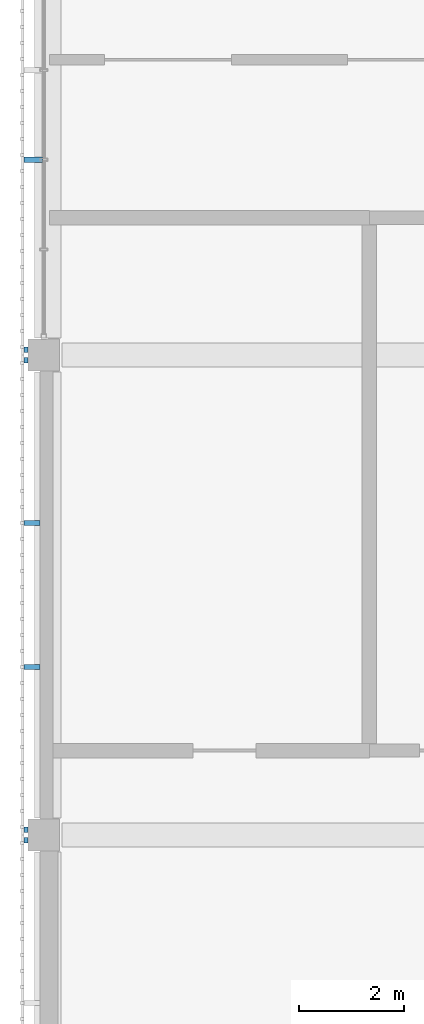
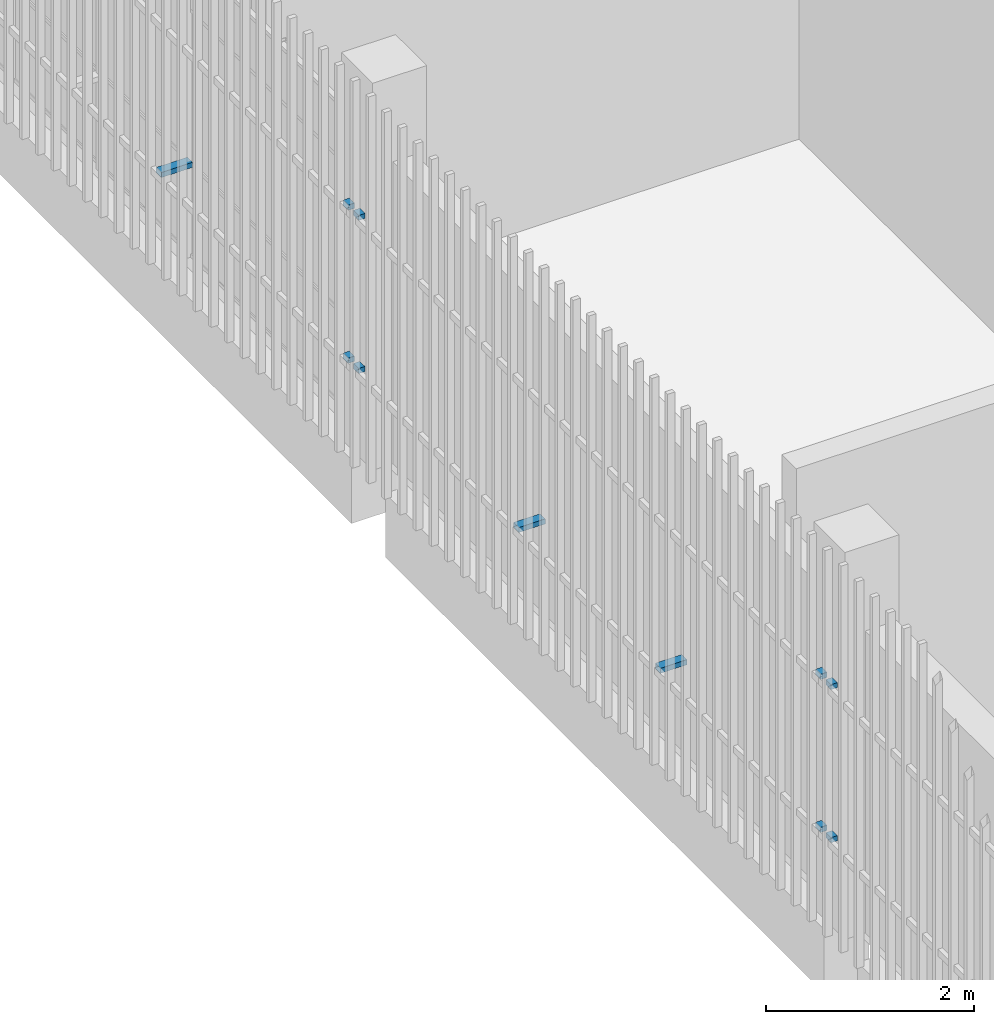
# One storey, part 98 of 139: 11 discrete accessories.
"""IFC4 building model written with IfcOpenShell, lengths in metres."""

from ifc_helpers import new_model, si_unit, direction, frame, origin, origin_2d, place, context, subcontext, project, spatial, rectangle, extrude, material, type_object, element, save


model = new_model("IFC4")

# Units and contexts
model_context = context("Model", 3, precision=1e-05, world=origin(), true_north=direction((0.0, 1.0)))
body_context = subcontext(model_context, "Body", "Model", "MODEL_VIEW")
ifc_project = project(units=[si_unit("LENGTHUNIT", "METRE"), si_unit("AREAUNIT", "SQUARE_METRE"), si_unit("VOLUMEUNIT", "CUBIC_METRE"), si_unit("PLANEANGLEUNIT", "RADIAN"), si_unit("MASSUNIT", "GRAM", prefix="KILO")], contexts=[model_context])

# Site, building, storey
site_placement = place(None, origin())
site = spatial("IfcSite", under=ifc_project, at=site_placement, CompositionType="ELEMENT")
building_placement = place(site_placement, origin())
building = spatial("IfcBuilding", under=site, at=building_placement, Name="Shirokan Park Arena", CompositionType="ELEMENT")
storey_placement = place(building_placement, frame((0.0, 0.0, 15.469970703125)))
storey = spatial("IfcBuildingStorey", under=building, at=storey_placement, Name="L03", CompositionType="ELEMENT", Elevation=15.469970703125)

# Discrete accessories
ifc_material = material(Name="Steel S355", Category="steel")
discrete_accessory_type = type_object("IfcDiscreteAccessoryType", Name="Veil bracket 100x60", PredefinedType="BRACKET", material=ifc_material)
for number, where, z_axis, x_axis, name in (
    (1, (-0.409912109375, 27.39990234375, 1.070068359375), (0.0, 0.0, 1.0), (0.0, -1.0, 0.0), "Veil bracket west bay 9 L03 2"),
    (2, (-0.409912109375, 27.39990234375, 2.8701171875), (0.0, 0.0, 1.0), (0.0, -1.0, 0.0), "Veil bracket west bay 9 L03 4"),
):
    element("IfcDiscreteAccessory", number, at=place(storey_placement, frame(where, z_axis=z_axis, x_axis=x_axis)), inside=storey, type_object=discrete_accessory_type, Name=name, PredefinedType="BRACKET", context=body_context, shape_type="SweptSolid", body=[
        extrude(rectangle(XDim=0.10009765625, YDim=0.070068359375, at=origin_2d()), origin(), (0.0, 0.0, 1.0), 0.06005859375),
    ])
discrete_accessory_placement = place(storey_placement, frame((-0.2724609375, 31.0, 1.070068359375), z_axis=(0.0, 0.0, 1.0), x_axis=(0.0, -1.0, 0.0)))
element("IfcDiscreteAccessory", 3, at=discrete_accessory_placement, inside=storey, type_object=discrete_accessory_type, Name="Veil bracket west bay 9 L03 wall 2", PredefinedType="BRACKET", context=body_context, shape_type="SweptSolid", body=[
    extrude(rectangle(XDim=0.10009765625, YDim=0.344970703125, at=origin_2d()), origin(), (0.0, 0.0, 1.0), 0.06005859375),
])
for number, where, z_axis, x_axis, name in (
    (4, (-0.409912109375, 27.199951171875, 1.070068359375), (0.0, 0.0, 1.0), (0.0, -1.0, 0.0), "Veil bracket west bay 10 L03 1"),
    (5, (-0.409912109375, 18.300048828125, 1.070068359375), (0.0, 0.0, 1.0), (0.0, -1.0, 0.0), "Veil bracket west bay 10 L03 2"),
    (6, (-0.409912109375, 27.199951171875, 2.8701171875), (0.0, 0.0, 1.0), (0.0, -1.0, 0.0), "Veil bracket west bay 10 L03 3"),
    (7, (-0.409912109375, 18.300048828125, 2.8701171875), (0.0, 0.0, 1.0), (0.0, -1.0, 0.0), "Veil bracket west bay 10 L03 4"),
):
    element("IfcDiscreteAccessory", number, at=place(storey_placement, frame(where, z_axis=z_axis, x_axis=x_axis)), inside=storey, type_object=discrete_accessory_type, Name=name, PredefinedType="BRACKET", context=body_context, shape_type="SweptSolid", body=[
        extrude(rectangle(XDim=0.10009765625, YDim=0.070068359375, at=origin_2d()), origin(), (0.0, 0.0, 1.0), 0.06005859375),
    ])
for number, where, z_axis, x_axis, name in (
    (8, (-0.297607421875, 24.114990234375, 1.070068359375), (0.0, 0.0, 1.0), (0.0, -1.0, 0.0), "Veil bracket west bay 10 L03 wall 1"),
    (9, (-0.297607421875, 21.385009765625, 1.070068359375), (0.0, 0.0, 1.0), (0.0, -1.0, 0.0), "Veil bracket west bay 10 L03 wall 2"),
):
    element("IfcDiscreteAccessory", number, at=place(storey_placement, frame(where, z_axis=z_axis, x_axis=x_axis)), inside=storey, type_object=discrete_accessory_type, Name=name, PredefinedType="BRACKET", context=body_context, shape_type="SweptSolid", body=[
        extrude(rectangle(XDim=0.10009765625, YDim=0.294921875, at=origin_2d()), origin(), (0.0, 0.0, 1.0), 0.06005859375),
    ])
for number, where, z_axis, x_axis, name in (
    (10, (-0.409912109375, 18.10009765625, 1.070068359375), (0.0, 0.0, 1.0), (0.0, -1.0, 0.0), "Veil bracket west bay 11 L03 1"),
    (11, (-0.409912109375, 18.10009765625, 2.8701171875), (0.0, 0.0, 1.0), (0.0, -1.0, 0.0), "Veil bracket west bay 11 L03 3"),
):
    element("IfcDiscreteAccessory", number, at=place(storey_placement, frame(where, z_axis=z_axis, x_axis=x_axis)), inside=storey, type_object=discrete_accessory_type, Name=name, PredefinedType="BRACKET", context=body_context, shape_type="SweptSolid", body=[
        extrude(rectangle(XDim=0.10009765625, YDim=0.070068359375, at=origin_2d()), origin(), (0.0, 0.0, 1.0), 0.06005859375),
    ])

save(model, "model.ifc")
